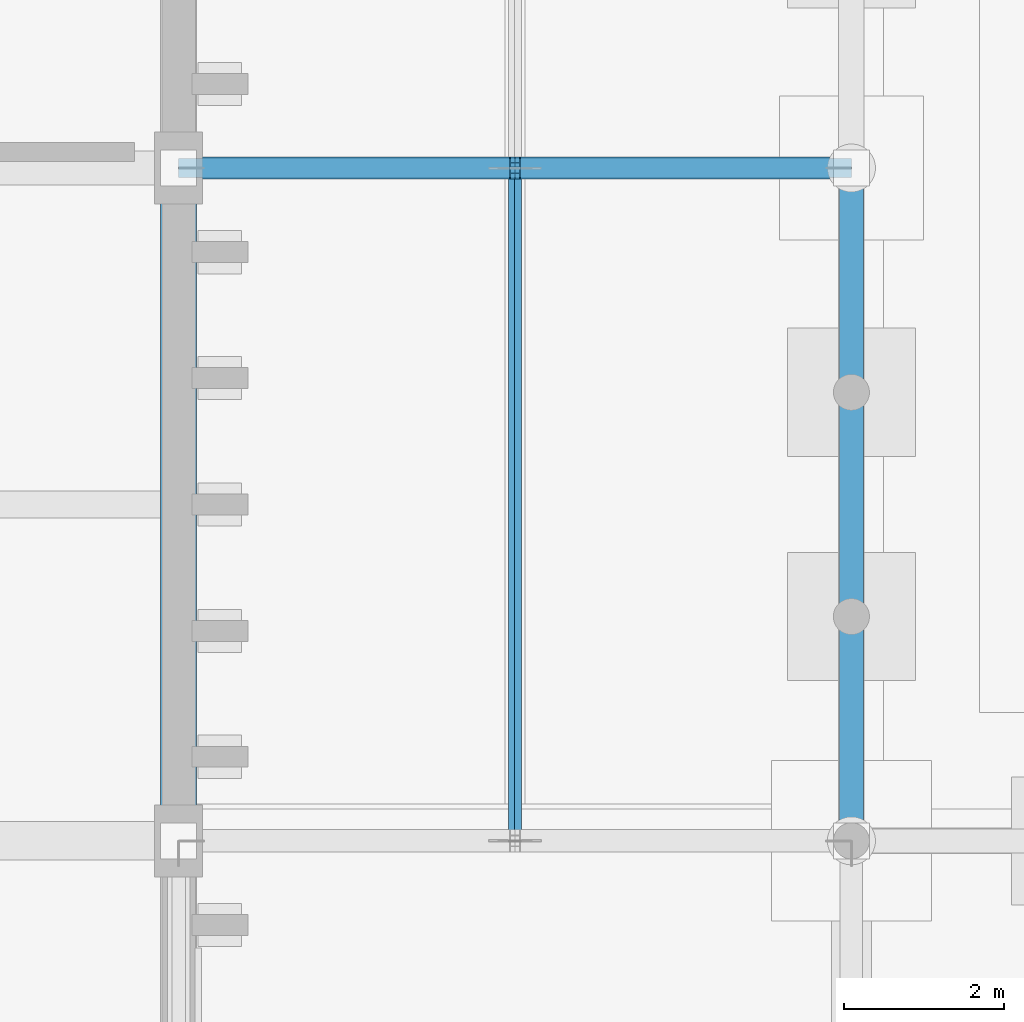
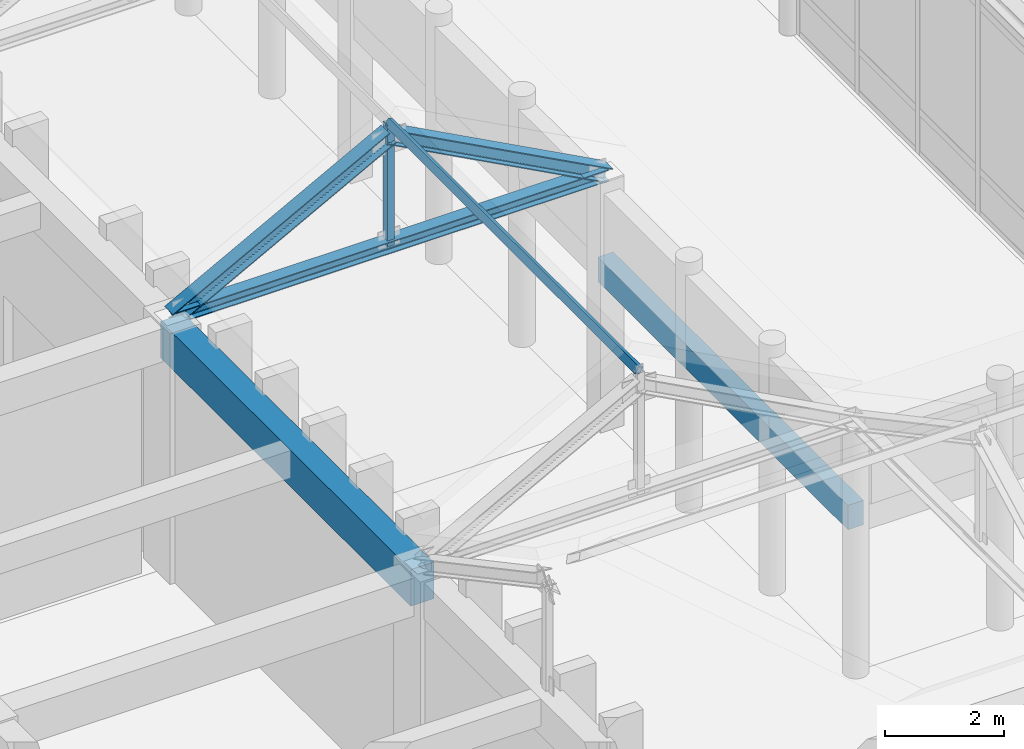
# One storey, part 29 of 143: 5 members, 2 beams.
"""IFC4 building model written with IfcOpenShell, lengths in metres."""

from ifc_helpers import new_model, si_unit, direction, frame, origin, origin_2d, place, context, subcontext, project, spatial, rectangle, hollow_rectangle, i_section, extrude, material, material_profile, profile_set, type_object, element, save


model = new_model("IFC4")

# Units and contexts
model_context = context("Model", 3, precision=1e-05, world=origin(), true_north=direction((0.0, 1.0)))
body_context = subcontext(model_context, "Body", "Model", "MODEL_VIEW")
ifc_project = project(units=[si_unit("LENGTHUNIT", "METRE"), si_unit("AREAUNIT", "SQUARE_METRE"), si_unit("VOLUMEUNIT", "CUBIC_METRE"), si_unit("PLANEANGLEUNIT", "RADIAN"), si_unit("MASSUNIT", "GRAM", prefix="KILO")], contexts=[model_context])

# Site, building, storey
site_placement = place(None, origin())
site = spatial("IfcSite", under=ifc_project, at=site_placement, CompositionType="ELEMENT")
building_placement = place(site_placement, origin())
building = spatial("IfcBuilding", under=site, at=building_placement, Name="Kveldsbrygga Polytechnic", CompositionType="ELEMENT")
storey_placement = place(building_placement, origin())
storey = spatial("IfcBuildingStorey", under=building, at=storey_placement, Name="L00", CompositionType="ELEMENT", Elevation=0.0)

# Beams
ifc_material_1 = material(Name="Concrete C35/45", Category="concrete")
ifc_material_profile_1 = material_profile(ifc_material_1, rectangle(XDim=0.449951171875, YDim=0.75, at=origin_2d()), Name="RC 450x750")
ifc_profile_set_1 = profile_set([ifc_material_profile_1], Name="Concrete C35/45")
beam_type_1 = type_object("IfcBeamType", Name="BM-RC-450x750", PredefinedType="BEAM", material=ifc_profile_set_1)
beam_1_placement = place(storey_placement, frame((33.60009765625, 33.60009765625, 4.72509765625), z_axis=(0.0, 1.0, 0.0), x_axis=(-1.0, 0.0, 0.0)))
element("IfcBeam", 1, at=beam_1_placement, inside=storey, type_object=beam_type_1, Name="Primary Beam BMY-L00-04-04to05", PredefinedType="BEAM", context=body_context, shape_type="SweptSolid", body=[
    extrude(rectangle(XDim=0.449951171875, YDim=0.75, at=origin_2d()), origin(), (0.0, 0.0, 1.0), 8.39990234375),
])
ifc_material_profile_2 = material_profile(ifc_material_1, rectangle(XDim=0.300048828125, YDim=0.5, at=origin_2d()), Name="RC 300x500")
ifc_profile_set_2 = profile_set([ifc_material_profile_2], Name="Concrete C35/45")
beam_type_2 = type_object("IfcBeamType", Name="LNT-RC-300x500", PredefinedType="LINTEL", material=ifc_profile_set_2)
beam_2_placement = place(storey_placement, frame((42.0, 33.60009765625, 3.199951171875), z_axis=(0.0, 1.0, 0.0), x_axis=(-1.0, 0.0, 0.0)))
element("IfcBeam", 2, at=beam_2_placement, inside=storey, type_object=beam_type_2, Name="Cloister Arcade Arch Lintel Beam BM-ARC-HDR-03", PredefinedType="LINTEL", context=body_context, shape_type="SweptSolid", body=[
    extrude(rectangle(XDim=0.300048828125, YDim=0.5, at=origin_2d()), origin(), (0.0, 0.0, 1.0), 8.39990234375),
])

# Members
ifc_material_2 = material(Name="Steel S355", Category="steel")
ifc_material_profile_3 = material_profile(ifc_material_2, hollow_rectangle(XDim=0.10009765625, YDim=0.14990234375, WallThickness=0.008056640625, at=origin_2d()), Name="RHS 150x100x8.0")
ifc_profile_set_3 = profile_set([ifc_material_profile_3], Name="Steel S355")
member_type_1 = type_object("IfcMemberType", Name="PRL-RHS150", PredefinedType="PURLIN", material=ifc_profile_set_3)
member_1_placement = place(storey_placement, frame((37.800048828125, 33.60009765625, 7.6337890625), z_axis=(0.0, 1.0, 0.0), x_axis=(-0.881479888517, 0.0, 0.472221564671)))
element("IfcMember", 3, at=member_1_placement, inside=storey, type_object=member_type_1, Name="Roof Purlin ARC-WW-PRL-1-1", PredefinedType="PURLIN", context=body_context, shape_type="SweptSolid", body=[
    extrude(hollow_rectangle(XDim=0.10009765625, YDim=0.14990234375, WallThickness=0.008056640625, at=origin_2d()), origin(), (0.0, 0.0, 1.0), 8.39990234375),
])
ifc_material_profile_4 = material_profile(ifc_material_2, i_section(OverallWidth=0.239990234375, OverallDepth=0.239990234375, WebThickness=0.010009765625, FlangeThickness=0.01708984375, FilletRadius=0.02099609375, at=origin_2d()), Name="HEB 240")
ifc_profile_set_4 = profile_set([ifc_material_profile_4], Name="Steel S355")
member_type_2 = type_object("IfcMemberType", Name="TR-BOT-HEB240", PredefinedType="CHORD", material=ifc_profile_set_4)
member_2_placement = place(storey_placement, frame((33.60009765625, 42.0, 5.139892578125), z_axis=(1.0, 0.0, 0.0), x_axis=(0.0, 1.0, 0.0)))
element("IfcMember", 4, at=member_2_placement, inside=storey, type_object=member_type_2, Name="Truss Bottom Chord ARC-WW-T02-BC-1", PredefinedType="CHORD", context=body_context, shape_type="SweptSolid", body=[
    extrude(i_section(OverallWidth=0.239990234375, OverallDepth=0.239990234375, WebThickness=0.010009765625, FlangeThickness=0.01708984375, FilletRadius=0.02099609375, at=origin_2d()), origin(), (0.0, 0.0, 1.0), 8.39990234375),
])
ifc_material_profile_5 = material_profile(ifc_material_2, hollow_rectangle(XDim=0.139892578125, YDim=0.139892578125, WallThickness=0.008056640625, at=origin_2d()), Name="SHS 140x140x8.0")
ifc_profile_set_5 = profile_set([ifc_material_profile_5], Name="Steel S355")
member_type_3 = type_object("IfcMemberType", Name="TR-POST-SHS140", PredefinedType="STRUT", material=ifc_profile_set_5)
member_3_placement = place(storey_placement, frame((37.800048828125, 42.0, 5.139892578125), z_axis=(0.0, 0.0, 1.0), x_axis=(1.0, 0.0, 0.0)))
element("IfcMember", 5, at=member_3_placement, inside=storey, type_object=member_type_3, Name="Truss Vertical ARC-WW-T02-VT-1", PredefinedType="STRUT", context=body_context, shape_type="SweptSolid", body=[
    extrude(hollow_rectangle(XDim=0.139892578125, YDim=0.139892578125, WallThickness=0.008056640625, at=origin_2d()), origin(), (0.0, 0.0, 1.0), 2.493896484375),
])
ifc_material_profile_6 = material_profile(ifc_material_2, i_section(OverallWidth=0.280029296875, OverallDepth=0.280029296875, WebThickness=0.010498046875, FlangeThickness=0.01806640625, FilletRadius=0.02392578125, at=origin_2d()), Name="HEB 280")
ifc_profile_set_6 = profile_set([ifc_material_profile_6], Name="Steel S355")
member_type_4 = type_object("IfcMemberType", Name="TR-TOP-HEB280", PredefinedType="CHORD", material=ifc_profile_set_6)
for number, where, z_axis, x_axis, name in (
    (6, (33.60009765625, 42.0, 5.139892578125), (0.881477684796, 0.0, 0.472225678258), (0.0, 1.0, 0.0), "Truss Top Chord ARC-WW-T02-TC-1"),
    (7, (37.800048828125, 42.0, 7.389892578125), (0.881477684796, 0.0, -0.472225678258), (0.0, 1.0, 0.0), "Truss Top Chord ARC-WW-T02-TC-2"),
):
    element("IfcMember", number, at=place(storey_placement, frame(where, z_axis=z_axis, x_axis=x_axis)), inside=storey, type_object=member_type_4, Name=name, PredefinedType="CHORD", context=body_context, shape_type="SweptSolid", body=[
        extrude(i_section(OverallWidth=0.280029296875, OverallDepth=0.280029296875, WebThickness=0.010498046875, FlangeThickness=0.01806640625, FilletRadius=0.02392578125, at=origin_2d()), origin(), (0.0, 0.0, 1.0), 4.7646484375),
    ])

save(model, "model.ifc")
